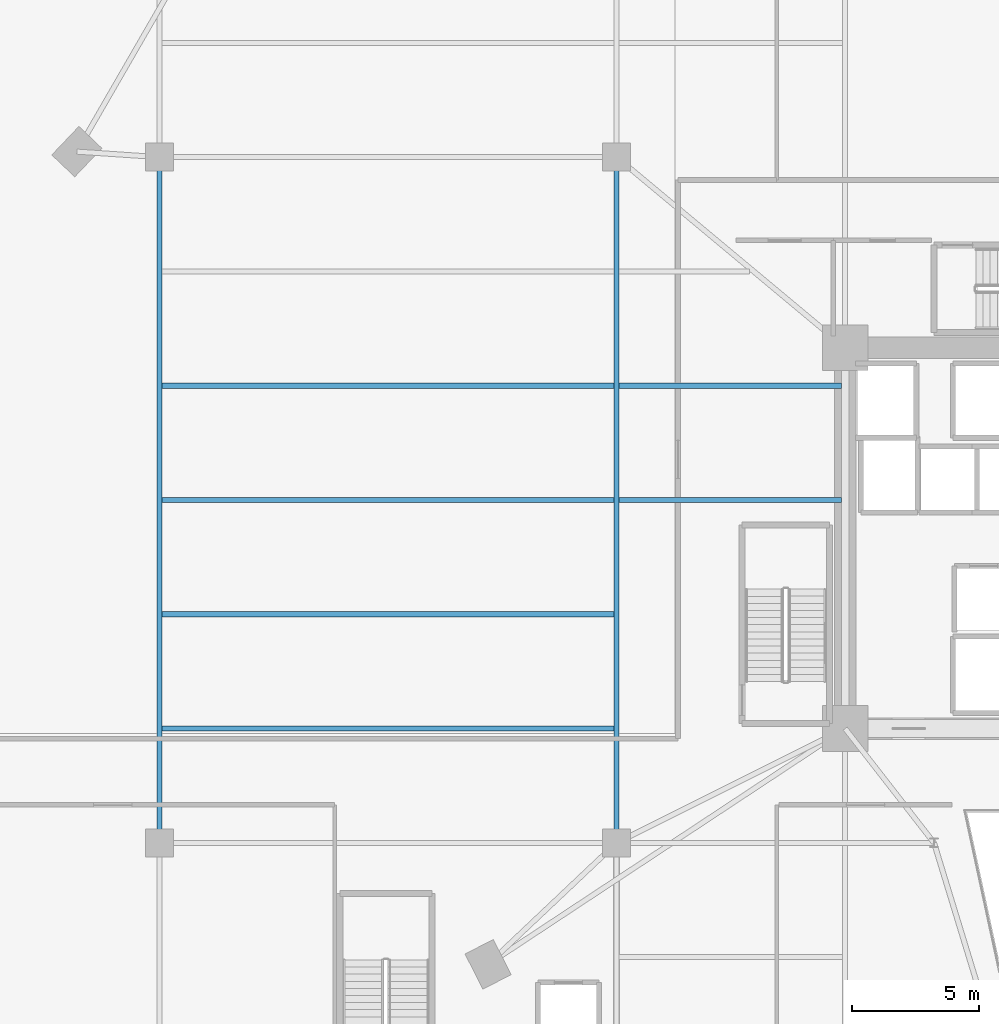
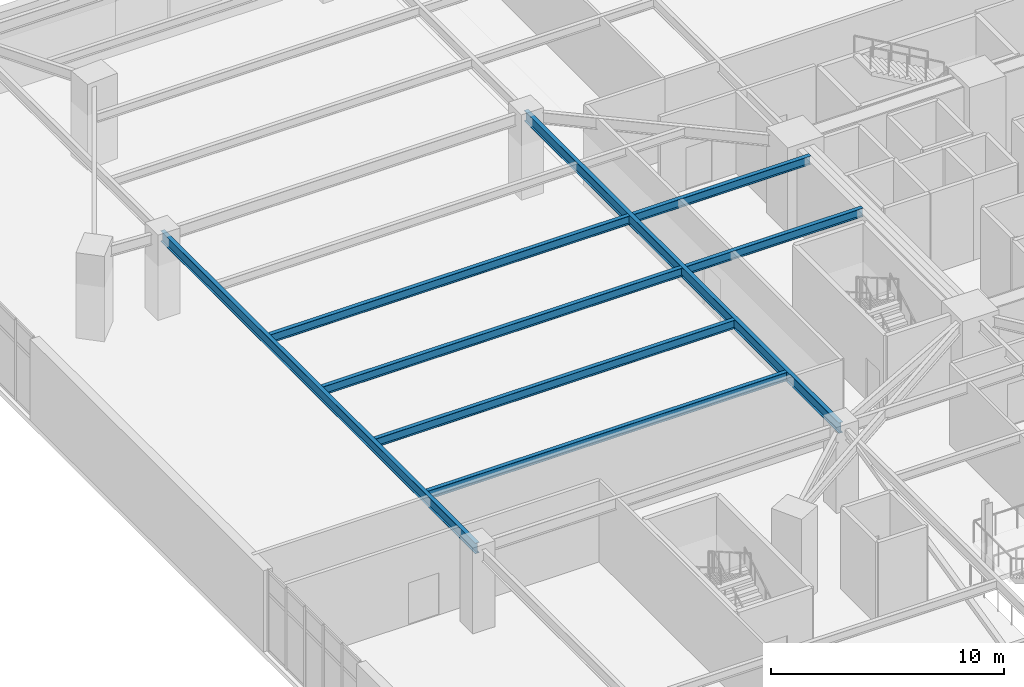
# One storey, part 13 of 29: 8 beams.
"""IFC4 building model written with IfcOpenShell, lengths in metres."""

from ifc_helpers import new_model, si_unit, direction, frame, origin, origin_2d, place, context, subcontext, project, spatial, i_section, extrude, source, transform, mapped, material, material_profile, profile_set, type_object, element, save


model = new_model("IFC4")

# Units and contexts
model_context = context("Model", 3, precision=1e-05, world=origin(), true_north=direction((0.0, 1.0)))
body_context = subcontext(model_context, "Body", "Model", "MODEL_VIEW")
ifc_project = project(units=[si_unit("LENGTHUNIT", "METRE"), si_unit("AREAUNIT", "SQUARE_METRE"), si_unit("VOLUMEUNIT", "CUBIC_METRE"), si_unit("PLANEANGLEUNIT", "RADIAN"), si_unit("MASSUNIT", "GRAM", prefix="KILO")], contexts=[model_context])

# Site, building, storey
site_placement = place(None, origin())
site = spatial("IfcSite", under=ifc_project, at=site_placement, CompositionType="ELEMENT")
building_placement = place(site_placement, origin())
building = spatial("IfcBuilding", under=site, at=building_placement, Name="Liaohun Quay Tower", CompositionType="ELEMENT")
storey_placement = place(building_placement, frame((0.0, 0.0, 5.39990234375)))
storey = spatial("IfcBuildingStorey", under=building, at=storey_placement, Name="L02", CompositionType="ELEMENT", Elevation=5.39990234375)

# Beams
ifc_material = material(Name="Steel Q355D", Category="steel")
ifc_material_profile_1 = material_profile(ifc_material, i_section(OverallWidth=0.199951171875, OverallDepth=0.449951171875, WebThickness=0.009033203125, FlangeThickness=0.013916015625, at=origin_2d()), Name="HN450x200x9x14")
ifc_profile_set_1 = profile_set([ifc_material_profile_1], Name="Steel Q355D")
beam_type_1 = type_object("IfcBeamType", Name="BM-SEC-J1", PredefinedType="JOIST", material=ifc_profile_set_1)
shared_shape_1 = source(origin(), body_context, "Body", "SweptSolid", [
    extrude(i_section(OverallWidth=0.199951171875, OverallDepth=0.449951171875, WebThickness=0.009033203125, FlangeThickness=0.013916015625, at=origin_2d()), origin(), (0.0, 0.0, 1.0), 17.7998046875),
])
for number, where, z_axis, x_axis, name in (
    (1, (24.10009765625, 46.5, 4.025146484375), (1.0, 0.0, 0.0), (0.0, 1.0, 0.0), "L02 Composite Floor Joist SJ-04"),
    (2, (24.10009765625, 51.0, 4.025146484375), (1.0, 0.0, 0.0), (0.0, 1.0, 0.0), "L02 Composite Floor Joist SJ-05"),
    (3, (24.10009765625, 55.5, 4.025146484375), (1.0, 0.0, 0.0), (0.0, 1.0, 0.0), "L02 Composite Floor Joist SJ-06"),
    (4, (24.10009765625, 60.0, 4.025146484375), (1.0, 0.0, 0.0), (0.0, 1.0, 0.0), "L02 Composite Floor Joist SJ-07"),
):
    element("IfcBeam", number, at=place(storey_placement, frame(where, z_axis=z_axis, x_axis=x_axis)), inside=storey, type_object=beam_type_1, Name=name, PredefinedType="JOIST", context=body_context, shape_type="MappedRepresentation", body=[
        mapped(shared_shape_1, transform((0.0, 0.0, 0.0), x_axis=(1.0, 0.0, 0.0), y_axis=(0.0, 1.0, 0.0), z_axis=(0.0, 0.0, 1.0), scale=1.0)),
    ])
shared_shape_2 = source(origin(), body_context, "Body", "SweptSolid", [
    extrude(i_section(OverallWidth=0.199951171875, OverallDepth=0.449951171875, WebThickness=0.009033203125, FlangeThickness=0.013916015625, at=origin_2d()), origin(), (0.0, 0.0, 1.0), 8.75),
])
for number, where, z_axis, x_axis, name in (
    (5, (42.10009765625, 55.5, 4.025146484375), (1.0, 0.0, 0.0), (0.0, 1.0, 0.0), "L02 Composite Floor Joist SJ-17"),
    (6, (42.10009765625, 60.0, 4.025146484375), (1.0, 0.0, 0.0), (0.0, 1.0, 0.0), "L02 Composite Floor Joist SJ-18"),
):
    element("IfcBeam", number, at=place(storey_placement, frame(where, z_axis=z_axis, x_axis=x_axis)), inside=storey, type_object=beam_type_1, Name=name, PredefinedType="JOIST", context=body_context, shape_type="MappedRepresentation", body=[
        mapped(shared_shape_2, transform((0.0, 0.0, 0.0), x_axis=(1.0, 0.0, 0.0), y_axis=(0.0, 1.0, 0.0), z_axis=(0.0, 0.0, 1.0), scale=1.0)),
    ])
ifc_material_profile_2 = material_profile(ifc_material, i_section(OverallWidth=0.199951171875, OverallDepth=0.550048828125, WebThickness=0.010009765625, FlangeThickness=0.01611328125, at=origin_2d()), Name="HN550x200x10x16")
ifc_profile_set_2 = profile_set([ifc_material_profile_2], Name="Steel Q355D")
beam_type_2 = type_object("IfcBeamType", Name="BM-POD-G2", PredefinedType="BEAM", material=ifc_profile_set_2)
shared_shape_3 = source(origin(), body_context, "Body", "SweptSolid", [
    extrude(i_section(OverallWidth=0.199951171875, OverallDepth=0.550048828125, WebThickness=0.010009765625, FlangeThickness=0.01611328125, at=origin_2d()), origin(), (0.0, 0.0, 1.0), 27.0),
])
for number, where, z_axis, x_axis, name in (
    (7, (24.0, 42.0, 3.97509765625), (0.0, 1.0, 0.0), (-1.0, 0.0, 0.0), "L02 Primary Grid Girder PG06-PG10"),
    (8, (42.0, 42.0, 3.97509765625), (0.0, 1.0, 0.0), (-1.0, 0.0, 0.0), "L02 Primary Grid Girder PG07-PG11"),
):
    element("IfcBeam", number, at=place(storey_placement, frame(where, z_axis=z_axis, x_axis=x_axis)), inside=storey, type_object=beam_type_2, Name=name, PredefinedType="BEAM", context=body_context, shape_type="MappedRepresentation", body=[
        mapped(shared_shape_3, transform((0.0, 0.0, 0.0), x_axis=(1.0, 0.0, 0.0), y_axis=(0.0, 1.0, 0.0), z_axis=(0.0, 0.0, 1.0), scale=1.0)),
    ])

save(model, "model.ifc")
